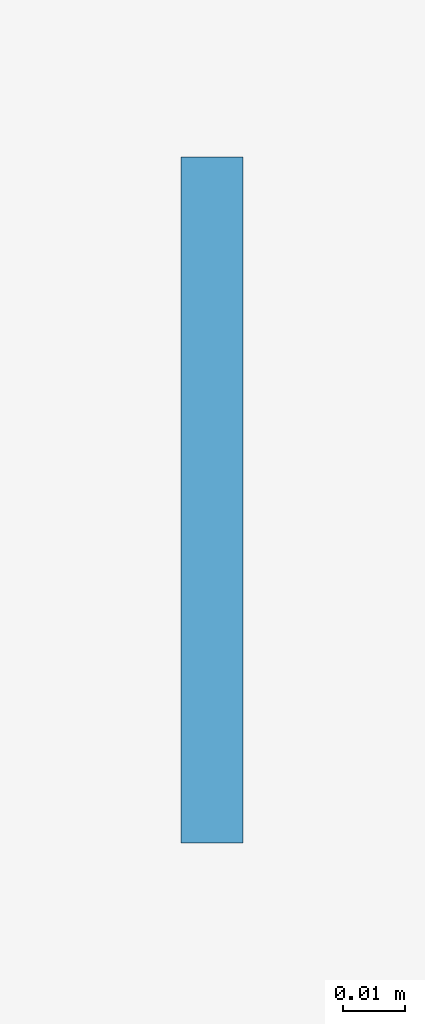
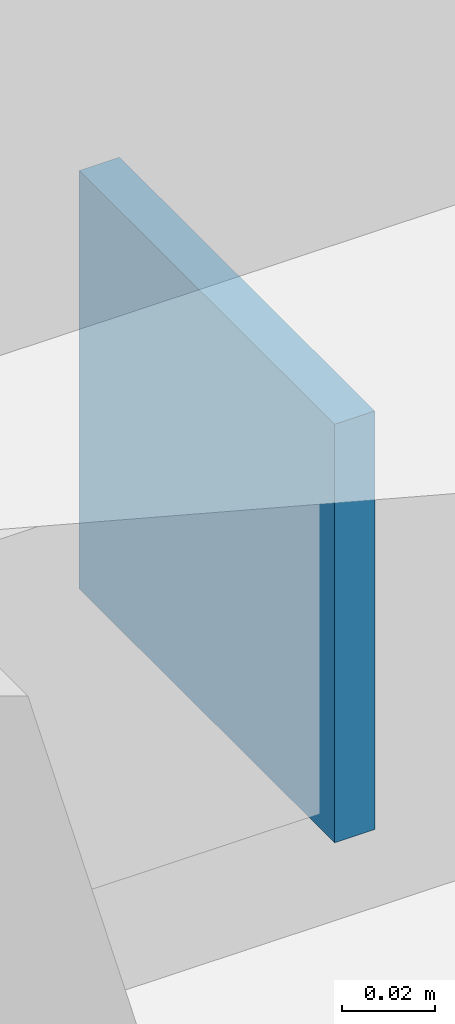
# One storey, part 56 of 70: 1 plate.
"""IFC4 building model written with IfcOpenShell, lengths in metres."""

from ifc_helpers import new_model, si_unit, direction, frame, origin, origin_2d, place, context, subcontext, project, spatial, rectangle, extrude, material, layer, layer_set, type_object, element, save


model = new_model("IFC4")

# Units and contexts
model_context = context("Model", 3, precision=1e-05, world=origin(), true_north=direction((0.0, 1.0)))
body_context = subcontext(model_context, "Body", "Model", "MODEL_VIEW")
ifc_project = project(units=[si_unit("LENGTHUNIT", "METRE"), si_unit("AREAUNIT", "SQUARE_METRE"), si_unit("VOLUMEUNIT", "CUBIC_METRE"), si_unit("PLANEANGLEUNIT", "RADIAN"), si_unit("MASSUNIT", "GRAM", prefix="KILO")], contexts=[model_context])

# Site, building, storey
site_placement = place(None, origin())
site = spatial("IfcSite", under=ifc_project, at=site_placement, CompositionType="ELEMENT")
building_placement = place(site_placement, origin())
building = spatial("IfcBuilding", under=site, at=building_placement, Name="Vondelvale Polytechnic", CompositionType="ELEMENT")
storey_placement = place(building_placement, frame((0.0, 0.0, 22.199951171875)))
storey = spatial("IfcBuildingStorey", under=building, at=storey_placement, Name="L05", CompositionType="ELEMENT", Elevation=22.199951171875)

# Plate
ifc_material = material(Name="Steel Grade 350 (fy = 340 MPa)", Category="steel")
ifc_layer = layer(ifc_material, 0.010009765625)
ifc_layer_set = layer_set([ifc_layer], Name="PLATE-CAP-C06")
plate_type = type_object("IfcPlateType", Name="PLATE-CAP-C06", PredefinedType="USERDEFINED", material=ifc_layer_set)
plate_placement = place(storey_placement, frame((172.800048828125, 0.0, 3.732421875), z_axis=(0.0, 0.0, 1.0), x_axis=(1.0, 0.0, 0.0)))
element("IfcPlate", 1, at=plate_placement, inside=storey, type_object=plate_type, Name="Lecture wing purlin East end cap plate 0", ObjectType="CAP_PLATE", PredefinedType="USERDEFINED", context=body_context, shape_type="SweptSolid", body=[
    extrude(rectangle(XDim=0.010009765625, YDim=0.110107421875, at=origin_2d()), origin(), (0.0, 0.0, 1.0), 0.110107421875),
])

save(model, "model.ifc")
